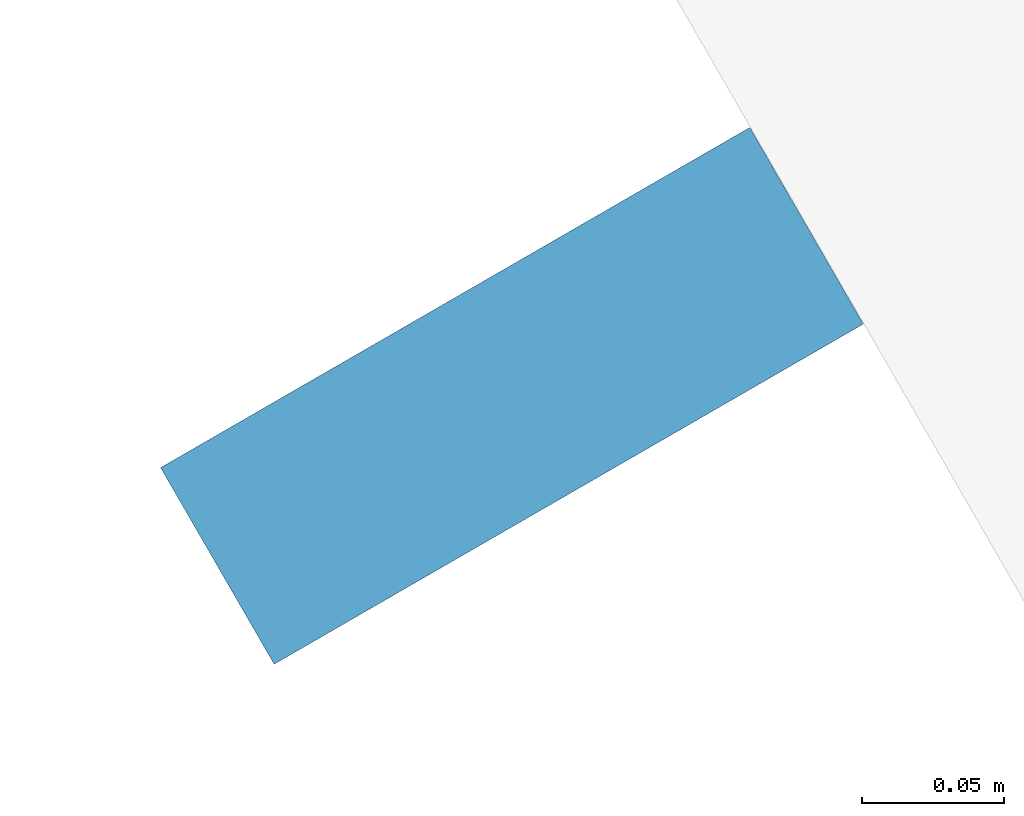
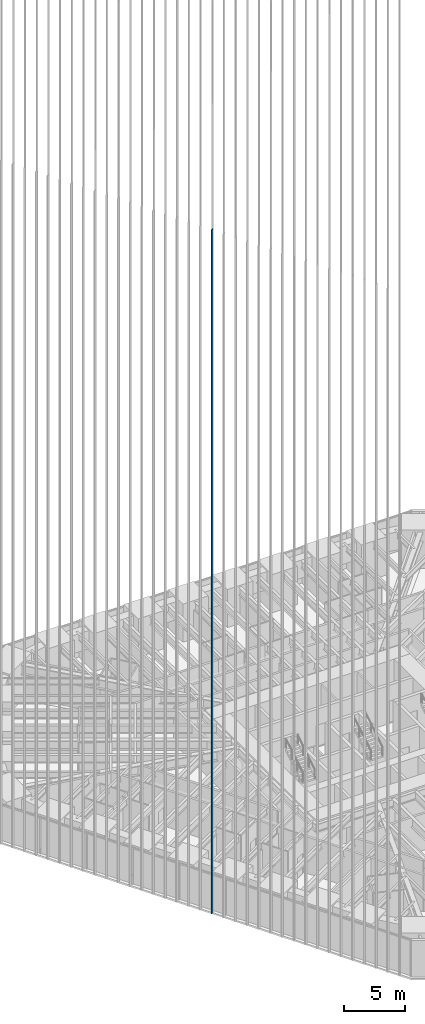
# One storey, part 47 of 256: 1 member, 1 element without a shape of its own.
"""IFC4 building model written with IfcOpenShell, lengths in metres."""

import ifcopenshell
import ifcopenshell.guid

model = None  # the IFC model being written
_history = None  # IfcOwnerHistory: only IFC2X3 demands one
_inside = {}  # id of a spatial element -> (the spatial element, [elements in it])
_under = {}  # id of a project, library or spatial element -> (it, [spatial elements below it])
_declared = {}  # id of a project -> (the project, [libraries it declares])
_typed = {}  # id of a type object -> (the type object, [elements of that type])
_made_of = {}  # id of a material, layer set ... -> (it, [elements and type objects made of it])


def new_model(schema):
    """Start an empty IFC model of exactly this schema.

    Asked for "IFC4X3", IfcOpenShell would pick the latest addendum, in which some entities
    have other attributes; the version numbers below select the first issue.
    IFC2X3 requires an IfcOwnerHistory on every rooted entity: one is made here for all.
    """
    global model, _history
    if schema == "IFC4X3":
        model = ifcopenshell.file(schema_version=(4, 3, 0, 0))
    else:
        model = ifcopenshell.file(schema=schema)
    _inside.clear()
    _under.clear()
    _declared.clear()
    _typed.clear()
    _made_of.clear()
    _history = None
    if model.schema == "IFC2X3":
        org = make("IfcOrganization", Name="unknown")
        user = make(
            "IfcPersonAndOrganization",
            ThePerson=make("IfcPerson", FamilyName="unknown"),
            TheOrganization=org,
        )
        app = make(
            "IfcApplication",
            ApplicationDeveloper=org,
            Version="unknown",
            ApplicationFullName="unknown",
            ApplicationIdentifier="unknown",
        )
        _history = make(
            "IfcOwnerHistory",
            OwningUser=user,
            OwningApplication=app,
            ChangeAction="ADDED",
            CreationDate=0,
        )
    return model


def make(cls, **values):
    """One entity of the class cls with the attributes given. An attribute that is None is left unset."""
    return model.create_entity(
        cls, **{name: value for name, value in values.items() if value is not None}
    )


def rooted(cls, **values):
    """An entity with a GlobalId (a new one), such as an element, a storey or a relation."""
    return make(cls, GlobalId=ifcopenshell.guid.new(), OwnerHistory=_history, **values)


def si_unit(unit_type, name, prefix=None):
    """IfcSIUnit, for example si_unit("LENGTHUNIT", "METRE", prefix="MILLI")."""
    return make("IfcSIUnit", UnitType=unit_type, Prefix=prefix, Name=name)


def assignment(units):
    """IfcUnitAssignment: the units of a project."""
    return None if units is None else make("IfcUnitAssignment", Units=units)


def point(xyz):
    """IfcCartesianPoint."""
    return None if xyz is None else make("IfcCartesianPoint", Coordinates=xyz)


def direction(xyz):
    """IfcDirection."""
    return None if xyz is None else make("IfcDirection", DirectionRatios=xyz)


def frame(location, z_axis=None, x_axis=None):
    """IfcAxis2Placement3D, a coordinate frame: its origin and axes. An axis left out is left unset."""
    return make(
        "IfcAxis2Placement3D",
        Location=point(location),
        Axis=direction(z_axis),
        RefDirection=direction(x_axis),
    )


def frame_2d(location, x_axis=None):
    """IfcAxis2Placement2D, a coordinate frame in the plane: its origin and x axis."""
    return make(
        "IfcAxis2Placement2D", Location=point(location), RefDirection=direction(x_axis)
    )


def origin():
    """The frame at (0, 0, 0) with its axes left unset."""
    return frame((0.0, 0.0, 0.0))


def origin_2d():
    """The frame at (0, 0) in the plane with its x axis left unset."""
    return frame_2d((0.0, 0.0))


def place(relative_to, where):
    """IfcLocalPlacement: puts the frame where relative to a parent placement (None: the world)."""
    return make(
        "IfcLocalPlacement", PlacementRelTo=relative_to, RelativePlacement=where
    )


def context(
    kind, dimensions, precision=None, world=None, true_north=None, identifier=None
):
    """IfcGeometricRepresentationContext, for example the 3D "Model" context."""
    return make(
        "IfcGeometricRepresentationContext",
        ContextIdentifier=identifier,
        ContextType=kind,
        CoordinateSpaceDimension=dimensions,
        Precision=precision,
        WorldCoordinateSystem=world,
        TrueNorth=true_north,
    )


def subcontext(parent, identifier, kind, view, scale=None):
    """IfcGeometricRepresentationSubContext, for example "Body" below "Model"."""
    return make(
        "IfcGeometricRepresentationSubContext",
        ContextIdentifier=identifier,
        ContextType=kind,
        ParentContext=parent,
        TargetScale=scale,
        TargetView=view,
    )


def project(units=None, contexts=None):
    """IfcProject with its units and contexts."""
    return rooted(
        "IfcProject",
        Name="project",
        RepresentationContexts=contexts,
        UnitsInContext=assignment(units),
    )


def spatial(cls, under=None, at=None, **own):
    """A site, building, storey or space (cls), placed at a placement, below another one or the project."""
    s = rooted(cls, ObjectPlacement=at, **own)
    if under is not None:
        _under.setdefault(under.id(), (under, []))[1].append(s)
    return s


def profile(cls, at=None, kind="AREA", **sizes):
    """A parametric profile (cls). Its sizes go by their IFC names, for example OverallWidth=200.0."""
    return make(cls, ProfileType=kind, Position=at, **sizes)


def rectangle(**sizes):
    """IfcRectangleProfileDef."""
    return profile("IfcRectangleProfileDef", **sizes)


def extrude(swept, where, along, depth):
    """IfcExtrudedAreaSolid: the profile swept, set in the frame where, extruded along a direction by depth."""
    return make(
        "IfcExtrudedAreaSolid",
        SweptArea=swept,
        Position=where,
        ExtrudedDirection=direction(along),
        Depth=depth,
    )


def shape(context_of_items, identifier, shape_type, items):
    """IfcShapeRepresentation: the items that make up one representation, for example the "Body"."""
    return make(
        "IfcShapeRepresentation",
        ContextOfItems=context_of_items,
        RepresentationIdentifier=identifier,
        RepresentationType=shape_type,
        Items=items,
    )


def material(Name=None, Category=None):
    """IfcMaterial."""
    return make("IfcMaterial", Name=Name, Category=Category)


def material_profile(
    of_material, cross_section, Name=None, Category=None, Priority=None
):
    """IfcMaterialProfile: a cross section and its material."""
    return make(
        "IfcMaterialProfile",
        Name=Name,
        Material=of_material,
        Profile=cross_section,
        Priority=Priority,
        Category=Category,
    )


def profile_set(profiles, Name=None, composite=None):
    """IfcMaterialProfileSet."""
    return make(
        "IfcMaterialProfileSet",
        Name=Name,
        MaterialProfiles=profiles,
        CompositeProfile=composite,
    )


def made_of(thing, what):
    """Note that an element or type object is made of a material, layer set ...; save() writes the relation."""
    if what is not None:
        _made_of.setdefault(what.id(), (what, []))[1].append(thing)
    return thing


def type_object(cls, material=None, **own):
    """A type object (cls), such as IfcWallType, which elements share."""
    return made_of(rooted(cls, **own), material)


def element(
    cls,
    number,
    at=None,
    inside=None,
    cuts=None,
    type_object=None,
    material=None,
    context=None,
    identifier="Body",
    shape_type=None,
    held_by="IfcProductDefinitionShape",
    body=None,
    shapes=None,
    **own,
):
    """One element of the class cls, such as IfcWall. Its Tag is "e" and its number.

    at: its placement. inside: the storey or other place that contains it. cuts: it is an
    opening in that element (IfcRelVoidsElement). A single representation is given by context,
    identifier, shape_type and body (its items); several are given by shapes. held_by: the class
    of the entity that holds the representations. save() writes the other relations.
    """
    e = rooted(cls, Tag="e%d" % number, ObjectPlacement=at, **own)
    if body is not None:
        shapes = [shape(context, identifier, shape_type, body)]
    if shapes is not None:
        e.Representation = make(held_by, Representations=shapes)
    if inside is not None:
        _inside.setdefault(inside.id(), (inside, []))[1].append(e)
    if cuts is not None:
        rooted(
            "IfcRelVoidsElement", RelatingBuildingElement=cuts, RelatedOpeningElement=e
        )
    if type_object is not None:
        _typed.setdefault(type_object.id(), (type_object, []))[1].append(e)
    return made_of(e, material)


def aggregate(whole, parts):
    """IfcRelAggregates: a whole, such as a stair, and the parts it consists of."""
    return rooted("IfcRelAggregates", RelatingObject=whole, RelatedObjects=parts)


def save(model, path):
    """Write the relations noted so far, then the file.

    IfcRelAggregates (storeys below a building ...), IfcRelContainedInSpatialStructure (elements
    in a storey), IfcRelDefinesByType, IfcRelAssociatesMaterial and IfcRelDeclares: one each for
    every whole, place, type object, material and project.
    """
    for whole, parts in _under.values():
        aggregate(whole, parts)
    for where, things in _inside.values():
        rooted(
            "IfcRelContainedInSpatialStructure",
            RelatedElements=things,
            RelatingStructure=where,
        )
    for kind, things in _typed.values():
        rooted("IfcRelDefinesByType", RelatedObjects=things, RelatingType=kind)
    for what, things in _made_of.values():
        rooted("IfcRelAssociatesMaterial", RelatedObjects=things, RelatingMaterial=what)
    for by, libraries in _declared.values():
        rooted("IfcRelDeclares", RelatingContext=by, RelatedDefinitions=libraries)
    model.write(path)


model = new_model("IFC4")

# Units and contexts
model_context = context("Model", 3, precision=1e-05, world=origin(), true_north=direction((0.0, 1.0)))
body_context = subcontext(model_context, "Body", "Model", "MODEL_VIEW")
ifc_project = project(units=[si_unit("LENGTHUNIT", "METRE"), si_unit("AREAUNIT", "SQUARE_METRE"), si_unit("VOLUMEUNIT", "CUBIC_METRE"), si_unit("PLANEANGLEUNIT", "RADIAN"), si_unit("MASSUNIT", "GRAM", prefix="KILO")], contexts=[model_context])

# Site, building, storey
site_placement = place(None, origin())
site = spatial("IfcSite", under=ifc_project, at=site_placement, CompositionType="ELEMENT")
building_placement = place(site_placement, origin())
building = spatial("IfcBuilding", under=site, at=building_placement, Name="Sandreach Pilgrim Tower", CompositionType="ELEMENT")
storey_placement = place(building_placement, frame((0.0, 0.0, 23.0)))
storey = spatial("IfcBuildingStorey", under=building, at=storey_placement, Name="L04", CompositionType="ELEMENT", Elevation=23.0)

# Curtain wall, member
ifc_material_1 = material(Name="Aluminium framed curtain wall", Category="aluminium")
curtain_wall_type = type_object("IfcCurtainWallType", Name="Hostel tower curtain wall", PredefinedType="NOTDEFINED", material=ifc_material_1)
curtain_wall_placement = place(storey_placement, origin())
curtain_wall = element("IfcCurtainWall", 1, at=curtain_wall_placement, inside=storey, type_object=curtain_wall_type, Name="CW-1 L04 SW", PredefinedType="NOTDEFINED")
ifc_material_2 = material(Name="Extruded terracotta on aluminium core", Category="masonry")
ifc_material_profile = material_profile(ifc_material_2, rectangle(XDim=0.080078125, YDim=0.239990234375, at=origin_2d()), Name="TBW 80X240")
ifc_profile_set = profile_set([ifc_material_profile], Name="Extruded terracotta on aluminium core")
member_type = type_object("IfcMemberType", Name="Terracotta baguette west", PredefinedType="USERDEFINED", material=ifc_profile_set)
member_placement = place(storey_placement, frame((-20.55078125, -13.142578125, 0.0), z_axis=(0.0, 0.0, 1.0), x_axis=(-0.5, 0.866025403784, 0.0)))
member = element("IfcMember", 2, at=member_placement, type_object=member_type, Name="Baguette Z1 SW17", ObjectType="BAGUETTE", PredefinedType="USERDEFINED", context=body_context, shape_type="SweptSolid", body=[
    extrude(rectangle(XDim=0.080078125, YDim=0.239990234375, at=origin_2d()), origin(), (0.0, 0.0, 1.0), 68.239990234375),
])
aggregate(curtain_wall, [member])

save(model, "model.ifc")
